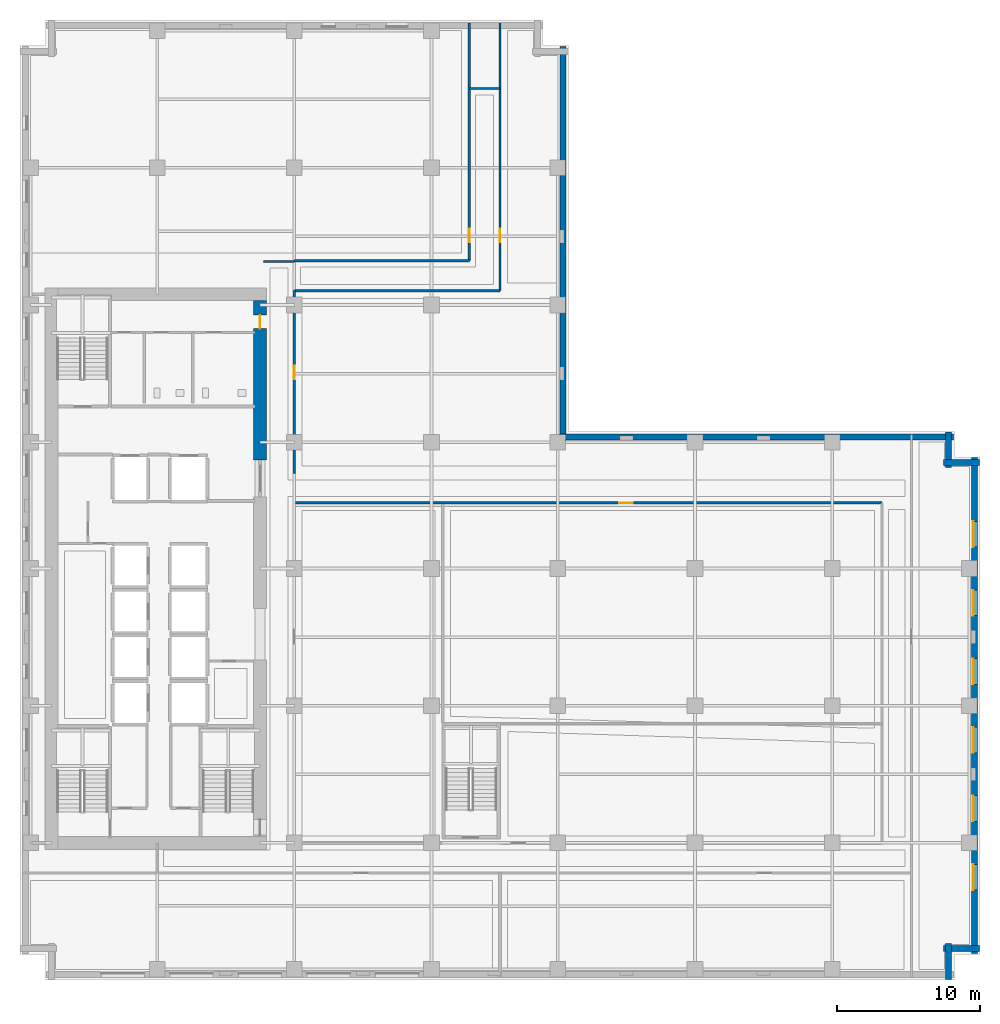
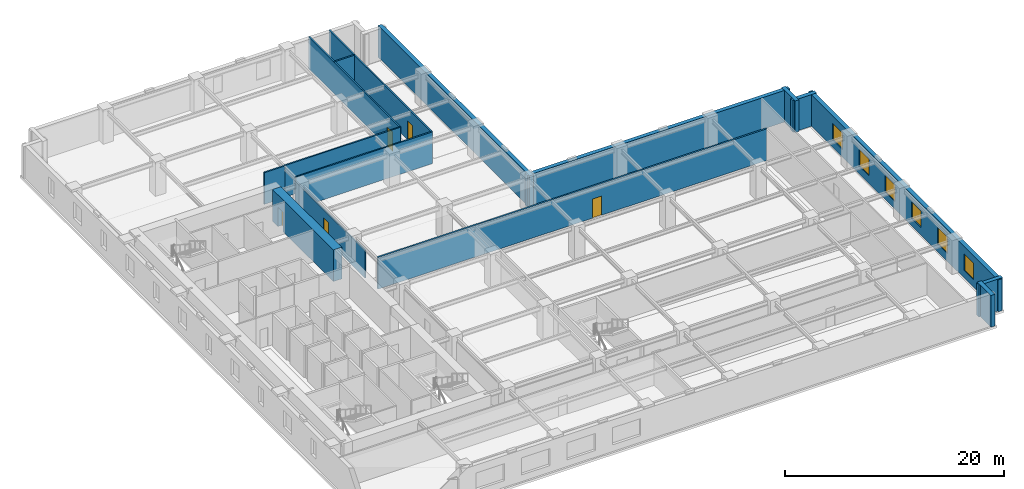
# One storey, part 7 of 13: 16 walls, 6 windows, 5 doors, 11 openings.
"""IFC4 building model written with IfcOpenShell, lengths in metres."""

import ifcopenshell
import ifcopenshell.guid

model = None  # the IFC model being written
_history = None  # IfcOwnerHistory: only IFC2X3 demands one
_inside = {}  # id of a spatial element -> (the spatial element, [elements in it])
_under = {}  # id of a project, library or spatial element -> (it, [spatial elements below it])
_declared = {}  # id of a project -> (the project, [libraries it declares])
_typed = {}  # id of a type object -> (the type object, [elements of that type])
_made_of = {}  # id of a material, layer set ... -> (it, [elements and type objects made of it])


def new_model(schema):
    """Start an empty IFC model of exactly this schema.

    Asked for "IFC4X3", IfcOpenShell would pick the latest addendum, in which some entities
    have other attributes; the version numbers below select the first issue.
    IFC2X3 requires an IfcOwnerHistory on every rooted entity: one is made here for all.
    """
    global model, _history
    if schema == "IFC4X3":
        model = ifcopenshell.file(schema_version=(4, 3, 0, 0))
    else:
        model = ifcopenshell.file(schema=schema)
    _inside.clear()
    _under.clear()
    _declared.clear()
    _typed.clear()
    _made_of.clear()
    _history = None
    if model.schema == "IFC2X3":
        org = make("IfcOrganization", Name="unknown")
        user = make(
            "IfcPersonAndOrganization",
            ThePerson=make("IfcPerson", FamilyName="unknown"),
            TheOrganization=org,
        )
        app = make(
            "IfcApplication",
            ApplicationDeveloper=org,
            Version="unknown",
            ApplicationFullName="unknown",
            ApplicationIdentifier="unknown",
        )
        _history = make(
            "IfcOwnerHistory",
            OwningUser=user,
            OwningApplication=app,
            ChangeAction="ADDED",
            CreationDate=0,
        )
    return model


def make(cls, **values):
    """One entity of the class cls with the attributes given. An attribute that is None is left unset."""
    return model.create_entity(
        cls, **{name: value for name, value in values.items() if value is not None}
    )


def rooted(cls, **values):
    """An entity with a GlobalId (a new one), such as an element, a storey or a relation."""
    return make(cls, GlobalId=ifcopenshell.guid.new(), OwnerHistory=_history, **values)


def si_unit(unit_type, name, prefix=None):
    """IfcSIUnit, for example si_unit("LENGTHUNIT", "METRE", prefix="MILLI")."""
    return make("IfcSIUnit", UnitType=unit_type, Prefix=prefix, Name=name)


def assignment(units):
    """IfcUnitAssignment: the units of a project."""
    return None if units is None else make("IfcUnitAssignment", Units=units)


def point(xyz):
    """IfcCartesianPoint."""
    return None if xyz is None else make("IfcCartesianPoint", Coordinates=xyz)


def direction(xyz):
    """IfcDirection."""
    return None if xyz is None else make("IfcDirection", DirectionRatios=xyz)


def frame(location, z_axis=None, x_axis=None):
    """IfcAxis2Placement3D, a coordinate frame: its origin and axes. An axis left out is left unset."""
    return make(
        "IfcAxis2Placement3D",
        Location=point(location),
        Axis=direction(z_axis),
        RefDirection=direction(x_axis),
    )


def frame_2d(location, x_axis=None):
    """IfcAxis2Placement2D, a coordinate frame in the plane: its origin and x axis."""
    return make(
        "IfcAxis2Placement2D", Location=point(location), RefDirection=direction(x_axis)
    )


def origin():
    """The frame at (0, 0, 0) with its axes left unset."""
    return frame((0.0, 0.0, 0.0))


def place(relative_to, where):
    """IfcLocalPlacement: puts the frame where relative to a parent placement (None: the world)."""
    return make(
        "IfcLocalPlacement", PlacementRelTo=relative_to, RelativePlacement=where
    )


def context(
    kind, dimensions, precision=None, world=None, true_north=None, identifier=None
):
    """IfcGeometricRepresentationContext, for example the 3D "Model" context."""
    return make(
        "IfcGeometricRepresentationContext",
        ContextIdentifier=identifier,
        ContextType=kind,
        CoordinateSpaceDimension=dimensions,
        Precision=precision,
        WorldCoordinateSystem=world,
        TrueNorth=true_north,
    )


def subcontext(parent, identifier, kind, view, scale=None):
    """IfcGeometricRepresentationSubContext, for example "Body" below "Model"."""
    return make(
        "IfcGeometricRepresentationSubContext",
        ContextIdentifier=identifier,
        ContextType=kind,
        ParentContext=parent,
        TargetScale=scale,
        TargetView=view,
    )


def project(units=None, contexts=None):
    """IfcProject with its units and contexts."""
    return rooted(
        "IfcProject",
        Name="project",
        RepresentationContexts=contexts,
        UnitsInContext=assignment(units),
    )


def spatial(cls, under=None, at=None, **own):
    """A site, building, storey or space (cls), placed at a placement, below another one or the project."""
    s = rooted(cls, ObjectPlacement=at, **own)
    if under is not None:
        _under.setdefault(under.id(), (under, []))[1].append(s)
    return s


def profile(cls, at=None, kind="AREA", **sizes):
    """A parametric profile (cls). Its sizes go by their IFC names, for example OverallWidth=200.0."""
    return make(cls, ProfileType=kind, Position=at, **sizes)


def rectangle(**sizes):
    """IfcRectangleProfileDef."""
    return profile("IfcRectangleProfileDef", **sizes)


def extrude(swept, where, along, depth):
    """IfcExtrudedAreaSolid: the profile swept, set in the frame where, extruded along a direction by depth."""
    return make(
        "IfcExtrudedAreaSolid",
        SweptArea=swept,
        Position=where,
        ExtrudedDirection=direction(along),
        Depth=depth,
    )


def shape(context_of_items, identifier, shape_type, items):
    """IfcShapeRepresentation: the items that make up one representation, for example the "Body"."""
    return make(
        "IfcShapeRepresentation",
        ContextOfItems=context_of_items,
        RepresentationIdentifier=identifier,
        RepresentationType=shape_type,
        Items=items,
    )


def material(Name=None, Category=None):
    """IfcMaterial."""
    return make("IfcMaterial", Name=Name, Category=Category)


def layer(
    of_material, thickness, ventilated=None, Name=None, Category=None, Priority=None
):
    """IfcMaterialLayer: one layer of a wall or slab, of a material (None: an air gap)."""
    return make(
        "IfcMaterialLayer",
        Material=of_material,
        LayerThickness=thickness,
        IsVentilated=ventilated,
        Name=Name,
        Category=Category,
        Priority=Priority,
    )


def layer_set(layers, Name=None):
    """IfcMaterialLayerSet."""
    return make("IfcMaterialLayerSet", MaterialLayers=layers, LayerSetName=Name)


def made_of(thing, what):
    """Note that an element or type object is made of a material, layer set ...; save() writes the relation."""
    if what is not None:
        _made_of.setdefault(what.id(), (what, []))[1].append(thing)
    return thing


def type_object(cls, material=None, **own):
    """A type object (cls), such as IfcWallType, which elements share."""
    return made_of(rooted(cls, **own), material)


def element(
    cls,
    number,
    at=None,
    inside=None,
    cuts=None,
    type_object=None,
    material=None,
    context=None,
    identifier="Body",
    shape_type=None,
    held_by="IfcProductDefinitionShape",
    body=None,
    shapes=None,
    **own,
):
    """One element of the class cls, such as IfcWall. Its Tag is "e" and its number.

    at: its placement. inside: the storey or other place that contains it. cuts: it is an
    opening in that element (IfcRelVoidsElement). A single representation is given by context,
    identifier, shape_type and body (its items); several are given by shapes. held_by: the class
    of the entity that holds the representations. save() writes the other relations.
    """
    e = rooted(cls, Tag="e%d" % number, ObjectPlacement=at, **own)
    if body is not None:
        shapes = [shape(context, identifier, shape_type, body)]
    if shapes is not None:
        e.Representation = make(held_by, Representations=shapes)
    if inside is not None:
        _inside.setdefault(inside.id(), (inside, []))[1].append(e)
    if cuts is not None:
        rooted(
            "IfcRelVoidsElement", RelatingBuildingElement=cuts, RelatedOpeningElement=e
        )
    if type_object is not None:
        _typed.setdefault(type_object.id(), (type_object, []))[1].append(e)
    return made_of(e, material)


def fill(opening, filler):
    """IfcRelFillsElement: the door or window that sits in an opening."""
    return rooted(
        "IfcRelFillsElement",
        RelatingOpeningElement=opening,
        RelatedBuildingElement=filler,
    )


def aggregate(whole, parts):
    """IfcRelAggregates: a whole, such as a stair, and the parts it consists of."""
    return rooted("IfcRelAggregates", RelatingObject=whole, RelatedObjects=parts)


def save(model, path):
    """Write the relations noted so far, then the file.

    IfcRelAggregates (storeys below a building ...), IfcRelContainedInSpatialStructure (elements
    in a storey), IfcRelDefinesByType, IfcRelAssociatesMaterial and IfcRelDeclares: one each for
    every whole, place, type object, material and project.
    """
    for whole, parts in _under.values():
        aggregate(whole, parts)
    for where, things in _inside.values():
        rooted(
            "IfcRelContainedInSpatialStructure",
            RelatedElements=things,
            RelatingStructure=where,
        )
    for kind, things in _typed.values():
        rooted("IfcRelDefinesByType", RelatedObjects=things, RelatingType=kind)
    for what, things in _made_of.values():
        rooted("IfcRelAssociatesMaterial", RelatedObjects=things, RelatingMaterial=what)
    for by, libraries in _declared.values():
        rooted("IfcRelDeclares", RelatingContext=by, RelatedDefinitions=libraries)
    model.write(path)


model = new_model("IFC4")

# Units and contexts
model_context = context("Model", 3, precision=1e-05, world=origin(), true_north=direction((0.0, 1.0)))
body_context = subcontext(model_context, "Body", "Model", "MODEL_VIEW")
ifc_project = project(units=[si_unit("LENGTHUNIT", "METRE"), si_unit("AREAUNIT", "SQUARE_METRE"), si_unit("VOLUMEUNIT", "CUBIC_METRE"), si_unit("PLANEANGLEUNIT", "RADIAN"), si_unit("MASSUNIT", "GRAM", prefix="KILO")], contexts=[model_context])

# Site, building, storey
site_placement = place(None, origin())
site = spatial("IfcSite", under=ifc_project, at=site_placement, CompositionType="ELEMENT")
building_placement = place(site_placement, origin())
building = spatial("IfcBuilding", under=site, at=building_placement, Name="Norrvale University Quadrangle", CompositionType="ELEMENT")
storey_placement = place(building_placement, frame((0.0, 0.0, 85.0)))
storey = spatial("IfcBuildingStorey", under=building, at=storey_placement, Name="L21", CompositionType="ELEMENT", Elevation=85.0)

# Walls
ifc_material_1 = material(Name="Buff Norman Clay Brick Masonry", Category="masonry")
ifc_layer_1 = layer(ifc_material_1, 0.419921875, Name="Buff Norman Clay Brick Masonry")
ifc_layer_set_1 = layer_set([ifc_layer_1], Name="Buff Norman Clay Brick Masonry")
wall_type_1 = type_object("IfcWallType", Name="Wall Buff Brick 420", PredefinedType="SOLIDWALL", material=ifc_layer_set_1)
for number, where, z_axis, x_axis, name in (
    (1, (65.010009765625, 0.0400390625, 0.0), (0.0, 0.0, 1.0), (0.0, 1.0, 0.0), "Exterior Brick Facade Wall L21-02.1"),
    (2, (64.659912109375, 2.18994140625, 0.0), (0.0, 0.0, 1.0), (1.0, 0.0, 0.0), "Exterior Brick Facade Wall L21-03.1"),
):
    element("IfcWall", number, at=place(storey_placement, frame(where, z_axis=z_axis, x_axis=x_axis)), inside=storey, type_object=wall_type_1, Name=name, PredefinedType="SOLIDWALL", context=body_context, shape_type="SweptSolid", body=[
        extrude(rectangle(XDim=2.5, YDim=0.419921875, at=frame_2d((1.25, 0.0))), origin(), (0.0, 0.0, 1.0), 3.5400390625),
    ])

# Wall, openings, windows
wall_1_placement = place(storey_placement, frame((66.81005859375, 1.840087890625, 0.0), z_axis=(0.0, 0.0, 1.0), x_axis=(0.0, 1.0, 0.0)))
wall_1 = element("IfcWall", 3, at=wall_1_placement, inside=storey, type_object=wall_type_1, Name="Exterior Brick Facade Wall L21-04.1", PredefinedType="SOLIDWALL", context=body_context, shape_type="SweptSolid", body=[
    extrude(rectangle(XDim=34.719970703125, YDim=0.419921875, at=frame_2d((17.35986328125, 0.0))), origin(), (0.0, 0.0, 1.0), 3.5400390625),
])
opening_1_placement = place(wall_1_placement, frame((4.4599609375, 0.0, 0.85009765625)))
opening_1 = element("IfcOpeningElement", 4, at=opening_1_placement, cuts=wall_1, Name="Opening W01", PredefinedType="OPENING", context=body_context, shape_type="SweptSolid", body=[
    extrude(rectangle(XDim=1.800048828125, YDim=1.85009765625, at=frame_2d((0.89990234375, 0.925048828125))), frame((0.0, 0.221923828125, 0.0), z_axis=(0.0, -1.0, 0.0), x_axis=(1.0, 0.0, 0.0)), (0.0, 0.0, 1.0), 0.44384765625),
])
opening_2_placement = place(wall_1_placement, frame((9.260009765625, 0.0, 0.85009765625)))
opening_2 = element("IfcOpeningElement", 5, at=opening_2_placement, cuts=wall_1, Name="Opening W01", PredefinedType="OPENING", context=body_context, shape_type="SweptSolid", body=[
    extrude(rectangle(XDim=1.800048828125, YDim=1.85009765625, at=frame_2d((0.89990234375, 0.925048828125))), frame((0.0, 0.221923828125, 0.0), z_axis=(0.0, -1.0, 0.0), x_axis=(1.0, 0.0, 0.0)), (0.0, 0.0, 1.0), 0.44384765625),
])
opening_3_placement = place(wall_1_placement, frame((14.06005859375, 0.0, 0.85009765625)))
opening_3 = element("IfcOpeningElement", 6, at=opening_3_placement, cuts=wall_1, Name="Opening W01", PredefinedType="OPENING", context=body_context, shape_type="SweptSolid", body=[
    extrude(rectangle(XDim=1.800048828125, YDim=1.85009765625, at=frame_2d((0.89990234375, 0.925048828125))), frame((0.0, 0.221923828125, 0.0), z_axis=(0.0, -1.0, 0.0), x_axis=(1.0, 0.0, 0.0)), (0.0, 0.0, 1.0), 0.44384765625),
])
opening_4_placement = place(wall_1_placement, frame((18.860107421875, 0.0, 0.85009765625)))
opening_4 = element("IfcOpeningElement", 7, at=opening_4_placement, cuts=wall_1, Name="Opening W01", PredefinedType="OPENING", context=body_context, shape_type="SweptSolid", body=[
    extrude(rectangle(XDim=1.800048828125, YDim=1.85009765625, at=frame_2d((0.89990234375, 0.925048828125))), frame((0.0, 0.221923828125, 0.0), z_axis=(0.0, -1.0, 0.0), x_axis=(1.0, 0.0, 0.0)), (0.0, 0.0, 1.0), 0.44384765625),
])
opening_5_placement = place(wall_1_placement, frame((23.659912109375, 0.0, 0.85009765625)))
opening_5 = element("IfcOpeningElement", 8, at=opening_5_placement, cuts=wall_1, Name="Opening W01", PredefinedType="OPENING", context=body_context, shape_type="SweptSolid", body=[
    extrude(rectangle(XDim=1.800048828125, YDim=1.85009765625, at=frame_2d((0.89990234375, 0.925048828125))), frame((0.0, 0.221923828125, 0.0), z_axis=(0.0, -1.0, 0.0), x_axis=(1.0, 0.0, 0.0)), (0.0, 0.0, 1.0), 0.44384765625),
])
opening_6_placement = place(wall_1_placement, frame((28.4599609375, 0.0, 0.85009765625)))
opening_6 = element("IfcOpeningElement", 9, at=opening_6_placement, cuts=wall_1, Name="Opening W01", PredefinedType="OPENING", context=body_context, shape_type="SweptSolid", body=[
    extrude(rectangle(XDim=1.800048828125, YDim=1.85009765625, at=frame_2d((0.89990234375, 0.925048828125))), frame((0.0, 0.221923828125, 0.0), z_axis=(0.0, -1.0, 0.0), x_axis=(1.0, 0.0, 0.0)), (0.0, 0.0, 1.0), 0.44384765625),
])
ifc_material_2 = material(Name="Triple Low-E Argon Glazing", Category="glass")
window_type = type_object("IfcWindowType", Name="Window Academic 1800x2300", PartitioningType="DOUBLE_PANEL_VERTICAL", PredefinedType="WINDOW", material=ifc_material_2)
window_1_placement = place(opening_1_placement, origin())
window_1 = element("IfcWindow", 10, at=window_1_placement, inside=storey, type_object=window_type, Name="Window Academic 1800x2300 WIN-L21-E04-1-01", OverallHeight=1.85009765625, OverallWidth=1.800048828125, PartitioningType="DOUBLE_PANEL_VERTICAL", PredefinedType="WINDOW", context=body_context, shape_type="SweptSolid", body=[
    extrude(rectangle(XDim=1.800048828125, YDim=1.85009765625, at=frame_2d((0.89990234375, 0.925048828125))), frame((0.0, 0.110107421875, 0.0), z_axis=(0.0, -1.0, 0.0), x_axis=(1.0, 0.0, 0.0)), (0.0, 0.0, 1.0), 0.06005859375),
])
fill(opening_1, window_1)
window_2_placement = place(opening_2_placement, origin())
window_2 = element("IfcWindow", 11, at=window_2_placement, inside=storey, type_object=window_type, Name="Window Academic 1800x2300 WIN-L21-E04-1-02", OverallHeight=1.85009765625, OverallWidth=1.800048828125, PartitioningType="DOUBLE_PANEL_VERTICAL", PredefinedType="WINDOW", context=body_context, shape_type="SweptSolid", body=[
    extrude(rectangle(XDim=1.800048828125, YDim=1.85009765625, at=frame_2d((0.89990234375, 0.925048828125))), frame((0.0, 0.110107421875, 0.0), z_axis=(0.0, -1.0, 0.0), x_axis=(1.0, 0.0, 0.0)), (0.0, 0.0, 1.0), 0.06005859375),
])
fill(opening_2, window_2)
window_3_placement = place(opening_3_placement, origin())
window_3 = element("IfcWindow", 12, at=window_3_placement, inside=storey, type_object=window_type, Name="Window Academic 1800x2300 WIN-L21-E04-1-03", OverallHeight=1.85009765625, OverallWidth=1.800048828125, PartitioningType="DOUBLE_PANEL_VERTICAL", PredefinedType="WINDOW", context=body_context, shape_type="SweptSolid", body=[
    extrude(rectangle(XDim=1.800048828125, YDim=1.85009765625, at=frame_2d((0.89990234375, 0.925048828125))), frame((0.0, 0.110107421875, 0.0), z_axis=(0.0, -1.0, 0.0), x_axis=(1.0, 0.0, 0.0)), (0.0, 0.0, 1.0), 0.06005859375),
])
fill(opening_3, window_3)
window_4_placement = place(opening_4_placement, origin())
window_4 = element("IfcWindow", 13, at=window_4_placement, inside=storey, type_object=window_type, Name="Window Academic 1800x2300 WIN-L21-E04-1-04", OverallHeight=1.85009765625, OverallWidth=1.800048828125, PartitioningType="DOUBLE_PANEL_VERTICAL", PredefinedType="WINDOW", context=body_context, shape_type="SweptSolid", body=[
    extrude(rectangle(XDim=1.800048828125, YDim=1.85009765625, at=frame_2d((0.89990234375, 0.925048828125))), frame((0.0, 0.110107421875, 0.0), z_axis=(0.0, -1.0, 0.0), x_axis=(1.0, 0.0, 0.0)), (0.0, 0.0, 1.0), 0.06005859375),
])
fill(opening_4, window_4)
window_5_placement = place(opening_5_placement, origin())
window_5 = element("IfcWindow", 14, at=window_5_placement, inside=storey, type_object=window_type, Name="Window Academic 1800x2300 WIN-L21-E04-1-05", OverallHeight=1.85009765625, OverallWidth=1.800048828125, PartitioningType="DOUBLE_PANEL_VERTICAL", PredefinedType="WINDOW", context=body_context, shape_type="SweptSolid", body=[
    extrude(rectangle(XDim=1.800048828125, YDim=1.85009765625, at=frame_2d((0.89990234375, 0.925048828125))), frame((0.0, 0.110107421875, 0.0), z_axis=(0.0, -1.0, 0.0), x_axis=(1.0, 0.0, 0.0)), (0.0, 0.0, 1.0), 0.06005859375),
])
fill(opening_5, window_5)
window_6_placement = place(opening_6_placement, origin())
window_6 = element("IfcWindow", 15, at=window_6_placement, inside=storey, type_object=window_type, Name="Window Academic 1800x2300 WIN-L21-E04-1-06", OverallHeight=1.85009765625, OverallWidth=1.800048828125, PartitioningType="DOUBLE_PANEL_VERTICAL", PredefinedType="WINDOW", context=body_context, shape_type="SweptSolid", body=[
    extrude(rectangle(XDim=1.800048828125, YDim=1.85009765625, at=frame_2d((0.89990234375, 0.925048828125))), frame((0.0, 0.110107421875, 0.0), z_axis=(0.0, -1.0, 0.0), x_axis=(1.0, 0.0, 0.0)), (0.0, 0.0, 1.0), 0.06005859375),
])
fill(opening_6, window_6)

# Walls
for number, where, z_axis, x_axis, name in (
    (16, (67.159912109375, 36.2099609375, 0.0), (0.0, 0.0, 1.0), (-1.0, 0.0, 0.0), "Exterior Brick Facade Wall L21-05.1"),
    (17, (65.010009765625, 35.860107421875, 0.0), (0.0, 0.0, 1.0), (0.0, 1.0, 0.0), "Exterior Brick Facade Wall L21-06.1"),
):
    element("IfcWall", number, at=place(storey_placement, frame(where, z_axis=z_axis, x_axis=x_axis)), inside=storey, type_object=wall_type_1, Name=name, PredefinedType="SOLIDWALL", context=body_context, shape_type="SweptSolid", body=[
        extrude(rectangle(XDim=2.5, YDim=0.419921875, at=frame_2d((1.25, 0.0))), origin(), (0.0, 0.0, 1.0), 3.5400390625),
    ])
for number, where, z_axis, x_axis, name in (
    (18, (65.360107421875, 38.010009765625, 0.0), (0.0, 0.0, 1.0), (-1.0, 0.0, 0.0), "Exterior Brick Facade Wall L21-07.1"),
    (19, (38.010009765625, 37.659912109375, 0.0), (0.0, 0.0, 1.0), (0.0, 1.0, 0.0), "Exterior Brick Facade Wall L21-08.1"),
):
    element("IfcWall", number, at=place(storey_placement, frame(where, z_axis=z_axis, x_axis=x_axis)), inside=storey, type_object=wall_type_1, Name=name, PredefinedType="SOLIDWALL", context=body_context, shape_type="SweptSolid", body=[
        extrude(rectangle(XDim=27.7001953125, YDim=0.419921875, at=frame_2d((13.85009765625, 0.0))), origin(), (0.0, 0.0, 1.0), 3.5400390625),
    ])

# Wall, opening, door
ifc_material_3 = material(Name="Concrete C80/95", Category="concrete")
ifc_layer_2 = layer(ifc_material_3, 0.89990234375, Name="Concrete C80/95")
ifc_layer_set_2 = layer_set([ifc_layer_2], Name="Concrete C80/95")
wall_type_2 = type_object("IfcWallType", Name="Wall Core 900", PredefinedType="SHEAR", material=ifc_layer_set_2)
wall_2_placement = place(storey_placement, frame((16.800048828125, 36.39990234375, 0.0), z_axis=(0.0, 0.0, 1.0), x_axis=(0.0, 1.0, 0.0)))
wall_2 = element("IfcWall", 20, at=wall_2_placement, inside=storey, type_object=wall_type_2, Name="Tower Core Shear Wall L21-E3", PredefinedType="SHEAR", context=body_context, shape_type="SweptSolid", body=[
    extrude(rectangle(XDim=11.150146484375, YDim=0.89990234375, at=frame_2d((5.5751953125, 0.0))), origin(), (0.0, 0.0, 1.0), 3.5400390625),
])
opening_7_placement = place(wall_2_placement, frame((9.199951171875, 0.0, 0.0)))
opening_7 = element("IfcOpeningElement", 21, at=opening_7_placement, cuts=wall_2, Name="Opening D07", PredefinedType="OPENING", context=body_context, shape_type="SweptSolid", body=[
    extrude(rectangle(XDim=0.949951171875, YDim=2.14990234375, at=frame_2d((0.47509765625, 1.074951171875))), frame((0.0, 0.4619140625, 0.0), z_axis=(0.0, -1.0, 0.0), x_axis=(1.0, 0.0, 0.0)), (0.0, 0.0, 1.0), 0.923828125),
])
ifc_material_4 = material(Name="Solid-Core Maple Door", Category="wood")
door_type = type_object("IfcDoorType", Name="Door Office 950x2150", OperationType="NOTDEFINED", PredefinedType="DOOR", material=ifc_material_4)
door_1_placement = place(opening_7_placement, origin())
door_1 = element("IfcDoor", 22, at=door_1_placement, inside=storey, type_object=door_type, Name="Door Office 950x2150 DR-L21-NECORR", OperationType="SINGLE_SWING_RIGHT", OverallHeight=2.14990234375, OverallWidth=0.949951171875, PredefinedType="DOOR", context=body_context, shape_type="SweptSolid", body=[
    extrude(rectangle(XDim=0.949951171875, YDim=2.14990234375, at=frame_2d((0.47509765625, 1.074951171875))), frame((0.0, 0.02490234375, 0.0), z_axis=(0.0, -1.0, 0.0), x_axis=(1.0, 0.0, 0.0)), (0.0, 0.0, 1.0), 0.050048828125),
])
fill(opening_7, door_1)

# Wall
ifc_material_5 = material(Name="Fire-Rated Gypsum Stud Partition")
ifc_layer_3 = layer(ifc_material_5, 0.14990234375, Name="Fire-Rated Gypsum Stud Partition")
ifc_layer_set_3 = layer_set([ifc_layer_3], Name="Fire-Rated Gypsum Stud Partition")
wall_type_3 = type_object("IfcWallType", Name="Wall Gypsum Corridor 150", PredefinedType="PARTITIONING", material=ifc_layer_set_3)
wall_3_placement = place(storey_placement, frame((17.050048828125, 50.300048828125, 0.0), z_axis=(0.0, 0.0, 1.0), x_axis=(1.0, 0.0, 0.0)))
element("IfcWall", 23, at=wall_3_placement, inside=storey, type_object=wall_type_3, Name="Interior Partition WL-L21-CN-END", PredefinedType="PARTITIONING", context=body_context, shape_type="SweptSolid", body=[
    extrude(rectangle(XDim=2.14990234375, YDim=0.14990234375, at=frame_2d((1.074951171875, 0.0))), origin(), (0.0, 0.0, 1.0), 3.5400390625),
])

# Wall, opening, door
wall_4_placement = place(storey_placement, frame((19.199951171875, 35.449951171875, 0.0), z_axis=(0.0, 0.0, 1.0), x_axis=(0.0, 1.0, 0.0)))
wall_4 = element("IfcWall", 24, at=wall_4_placement, inside=storey, type_object=wall_type_3, Name="Interior Partition WL-L21-MNECW", PredefinedType="PARTITIONING", context=body_context, shape_type="SweptSolid", body=[
    extrude(rectangle(XDim=12.800048828125, YDim=0.14990234375, at=frame_2d((6.39990234375, 0.0))), origin(), (0.0, 0.0, 1.0), 3.071044921875),
])
opening_8_placement = place(wall_4_placement, frame((6.60009765625, 0.0, 0.0)))
opening_8 = element("IfcOpeningElement", 25, at=opening_8_placement, cuts=wall_4, Name="Opening D07", PredefinedType="OPENING", context=body_context, shape_type="SweptSolid", body=[
    extrude(rectangle(XDim=0.949951171875, YDim=2.14990234375, at=frame_2d((0.47509765625, 1.074951171875))), frame((0.0, 0.0869140625, 0.0), z_axis=(0.0, -1.0, 0.0), x_axis=(1.0, 0.0, 0.0)), (0.0, 0.0, 1.0), 0.173828125),
])
door_2_placement = place(opening_8_placement, origin())
door_2 = element("IfcDoor", 26, at=door_2_placement, inside=storey, type_object=door_type, Name="Door Office 950x2150 DR-L21-MNE01", OperationType="SINGLE_SWING_RIGHT", OverallHeight=2.14990234375, OverallWidth=0.949951171875, PredefinedType="DOOR", context=body_context, shape_type="SweptSolid", body=[
    extrude(rectangle(XDim=0.949951171875, YDim=2.14990234375, at=frame_2d((0.47509765625, 1.074951171875))), frame((0.0, 0.02490234375, 0.0), z_axis=(0.0, -1.0, 0.0), x_axis=(1.0, 0.0, 0.0)), (0.0, 0.0, 1.0), 0.050048828125),
])
fill(opening_8, door_2)

# Walls
wall_5_placement = place(storey_placement, frame((19.199951171875, 48.25, 0.0), z_axis=(0.0, 0.0, 1.0), x_axis=(1.0, 0.0, 0.0)))
element("IfcWall", 27, at=wall_5_placement, inside=storey, type_object=wall_type_3, Name="Interior Partition WL-L21-JOGS", PredefinedType="PARTITIONING", context=body_context, shape_type="SweptSolid", body=[
    extrude(rectangle(XDim=14.400146484375, YDim=0.14990234375, at=frame_2d((7.2001953125, 0.0))), origin(), (0.0, 0.0, 1.0), 3.5400390625),
])
wall_6_placement = place(storey_placement, frame((19.199951171875, 50.35009765625, 0.0), z_axis=(0.0, 0.0, 1.0), x_axis=(1.0, 0.0, 0.0)))
element("IfcWall", 28, at=wall_6_placement, inside=storey, type_object=wall_type_3, Name="Interior Partition WL-L21-JOGN", PredefinedType="PARTITIONING", context=body_context, shape_type="SweptSolid", body=[
    extrude(rectangle(XDim=12.25, YDim=0.14990234375, at=frame_2d((6.125, 0.0))), origin(), (0.0, 0.0, 1.0), 3.5400390625),
])
wall_7_placement = place(storey_placement, frame((31.449951171875, 62.39990234375, 0.0), z_axis=(0.0, 0.0, 1.0), x_axis=(1.0, 0.0, 0.0)))
element("IfcWall", 29, at=wall_7_placement, inside=storey, type_object=wall_type_3, Name="Interior Partition WL-L21-JOGEND", PredefinedType="PARTITIONING", context=body_context, shape_type="SweptSolid", body=[
    extrude(rectangle(XDim=2.150146484375, YDim=0.14990234375, at=frame_2d((1.0751953125, 0.0))), origin(), (0.0, 0.0, 1.0), 3.5400390625),
])

# Wall, opening, door
wall_8_placement = place(storey_placement, frame((33.60009765625, 48.25, 0.0), z_axis=(0.0, 0.0, 1.0), x_axis=(0.0, 1.0, 0.0)))
wall_8 = element("IfcWall", 30, at=wall_8_placement, inside=storey, type_object=wall_type_3, Name="Interior Partition WL-L21-NECW", PredefinedType="PARTITIONING", context=body_context, shape_type="SweptSolid", body=[
    extrude(rectangle(XDim=18.72998046875, YDim=0.14990234375, at=frame_2d((9.364990234375, 0.0))), origin(), (0.0, 0.0, 1.0), 3.5400390625),
])
opening_9_placement = place(wall_8_placement, frame((3.39990234375, 0.0, 0.0)))
opening_9 = element("IfcOpeningElement", 31, at=opening_9_placement, cuts=wall_8, Name="Opening D07", PredefinedType="OPENING", context=body_context, shape_type="SweptSolid", body=[
    extrude(rectangle(XDim=0.949951171875, YDim=2.14990234375, at=frame_2d((0.47509765625, 1.074951171875))), frame((0.0, 0.0869140625, 0.0), z_axis=(0.0, -1.0, 0.0), x_axis=(1.0, 0.0, 0.0)), (0.0, 0.0, 1.0), 0.173828125),
])
door_3_placement = place(opening_9_placement, origin())
door_3 = element("IfcDoor", 32, at=door_3_placement, inside=storey, type_object=door_type, Name="Door Office 950x2150 DR-L21-NE01", OperationType="SINGLE_SWING_RIGHT", OverallHeight=2.14990234375, OverallWidth=0.949951171875, PredefinedType="DOOR", context=body_context, shape_type="SweptSolid", body=[
    extrude(rectangle(XDim=0.949951171875, YDim=2.14990234375, at=frame_2d((0.47509765625, 1.074951171875))), frame((0.0, 0.02490234375, 0.0), z_axis=(0.0, -1.0, 0.0), x_axis=(1.0, 0.0, 0.0)), (0.0, 0.0, 1.0), 0.050048828125),
])
fill(opening_9, door_3)

wall_9_placement = place(storey_placement, frame((31.449951171875, 50.35009765625, 0.0), z_axis=(0.0, 0.0, 1.0), x_axis=(0.0, 1.0, 0.0)))
wall_9 = element("IfcWall", 33, at=wall_9_placement, inside=storey, type_object=wall_type_3, Name="Interior Partition WL-L21-NWCW", PredefinedType="PARTITIONING", context=body_context, shape_type="SweptSolid", body=[
    extrude(rectangle(XDim=16.6298828125, YDim=0.14990234375, at=frame_2d((8.31494140625, 0.0))), origin(), (0.0, 0.0, 1.0), 3.5400390625),
])
opening_10_placement = place(wall_9_placement, frame((1.300048828125, 0.0, 0.0)))
opening_10 = element("IfcOpeningElement", 34, at=opening_10_placement, cuts=wall_9, Name="Opening D07", PredefinedType="OPENING", context=body_context, shape_type="SweptSolid", body=[
    extrude(rectangle(XDim=0.949951171875, YDim=2.14990234375, at=frame_2d((0.47509765625, 1.074951171875))), frame((0.0, 0.0869140625, 0.0), z_axis=(0.0, -1.0, 0.0), x_axis=(1.0, 0.0, 0.0)), (0.0, 0.0, 1.0), 0.173828125),
])
door_4_placement = place(opening_10_placement, origin())
door_4 = element("IfcDoor", 35, at=door_4_placement, inside=storey, type_object=door_type, Name="Door Office 950x2150 DR-L21-NW01", OperationType="SINGLE_SWING_RIGHT", OverallHeight=2.14990234375, OverallWidth=0.949951171875, PredefinedType="DOOR", context=body_context, shape_type="SweptSolid", body=[
    extrude(rectangle(XDim=0.949951171875, YDim=2.14990234375, at=frame_2d((0.47509765625, 1.074951171875))), frame((0.0, 0.02490234375, 0.0), z_axis=(0.0, -1.0, 0.0), x_axis=(1.0, 0.0, 0.0)), (0.0, 0.0, 1.0), 0.050048828125),
])
fill(opening_10, door_4)

ifc_material_6 = material(Name="Acoustic Double-Stud Gypsum Partition")
ifc_layer_4 = layer(ifc_material_6, 0.179931640625, Name="Acoustic Double-Stud Gypsum Partition")
ifc_layer_set_4 = layer_set([ifc_layer_4], Name="Acoustic Double-Stud Gypsum Partition")
wall_type_4 = type_object("IfcWallType", Name="Wall Gypsum Lecture 180", PredefinedType="PARTITIONING", material=ifc_layer_set_4)
wall_10_placement = place(storey_placement, frame((19.280029296875, 33.39990234375, 0.0), z_axis=(0.0, 0.0, 1.0), x_axis=(1.0, 0.0, 0.0)))
wall_10 = element("IfcWall", 36, at=wall_10_placement, inside=storey, type_object=wall_type_4, Name="Interior Partition WL-L21-ISLN", PredefinedType="PARTITIONING", context=body_context, shape_type="SweptSolid", body=[
    extrude(rectangle(XDim=41.070068359375, YDim=0.179931640625, at=frame_2d((20.53515625, 0.0))), origin(), (0.0, 0.0, 1.0), 3.5400390625),
])
opening_11_placement = place(wall_10_placement, frame((22.669921875, 0.0, 0.0)))
opening_11 = element("IfcOpeningElement", 37, at=opening_11_placement, cuts=wall_10, Name="Opening D07", PredefinedType="OPENING", context=body_context, shape_type="SweptSolid", body=[
    extrude(rectangle(XDim=0.949951171875, YDim=2.14990234375, at=frame_2d((0.47509765625, 1.074951171875))), frame((0.0, 0.10205078125, 0.0), z_axis=(0.0, -1.0, 0.0), x_axis=(1.0, 0.0, 0.0)), (0.0, 0.0, 1.0), 0.203857421875),
])
door_5_placement = place(opening_11_placement, origin())
door_5 = element("IfcDoor", 38, at=door_5_placement, inside=storey, type_object=door_type, Name="Door Office 950x2150 DR-L21-ILH", OperationType="SINGLE_SWING_RIGHT", OverallHeight=2.14990234375, OverallWidth=0.949951171875, PredefinedType="DOOR", context=body_context, shape_type="SweptSolid", body=[
    extrude(rectangle(XDim=0.949951171875, YDim=2.14990234375, at=frame_2d((0.47509765625, 1.074951171875))), frame((0.0, 0.02490234375, 0.0), z_axis=(0.0, -1.0, 0.0), x_axis=(1.0, 0.0, 0.0)), (0.0, 0.0, 1.0), 0.050048828125),
])
fill(opening_11, door_5)

save(model, "model.ifc")
